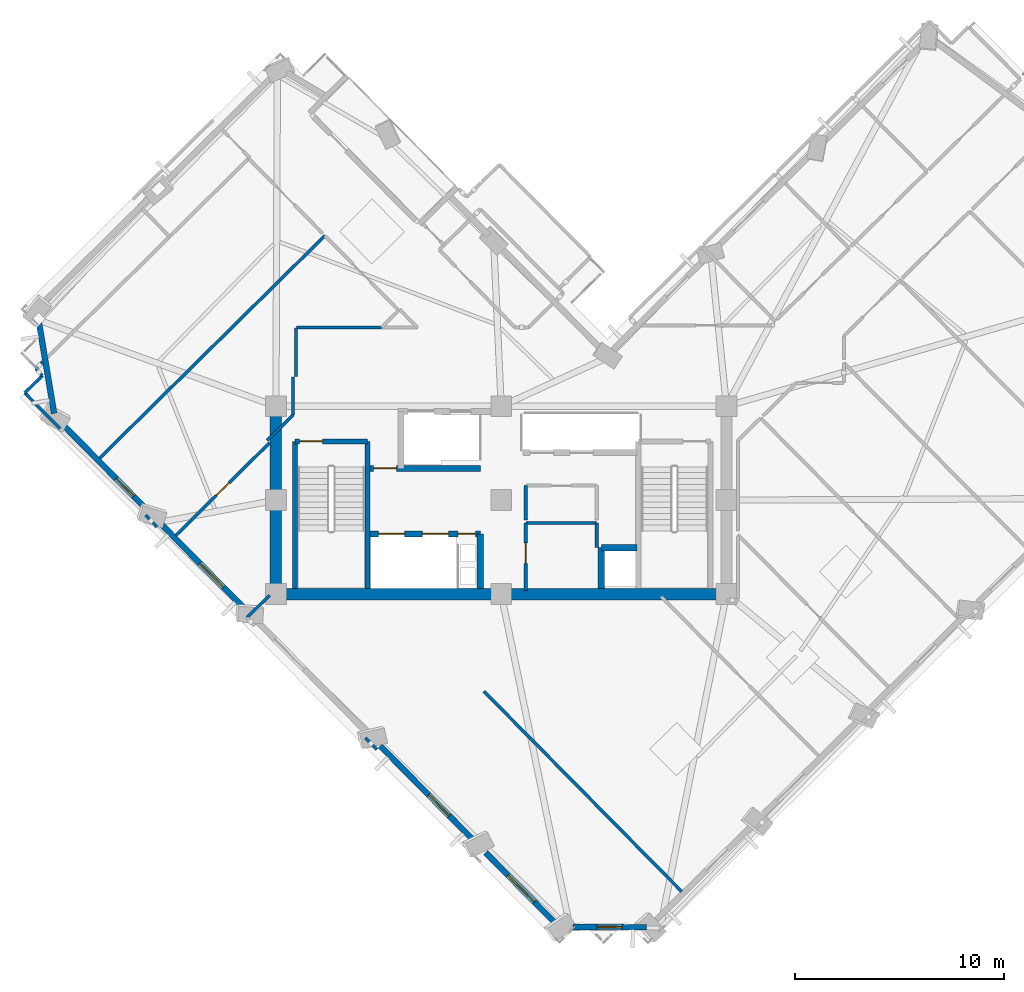
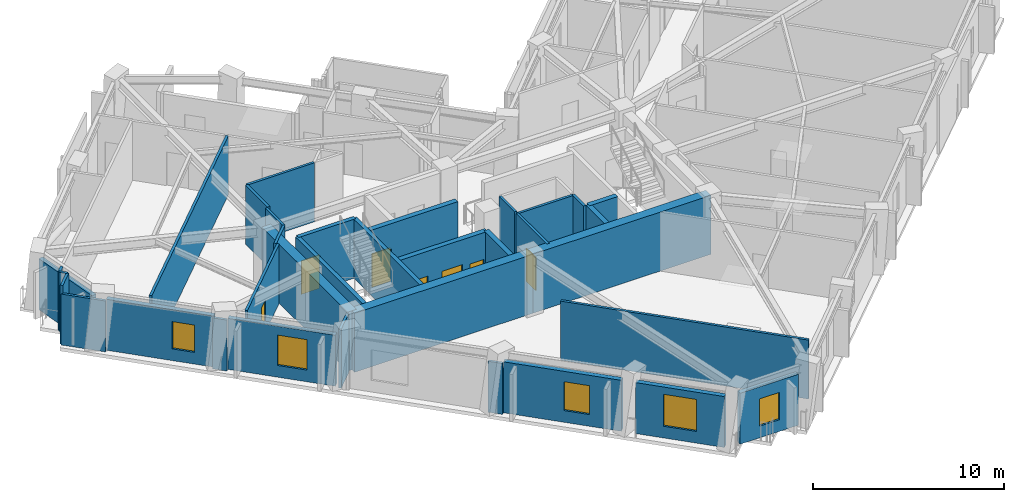
# One storey, part 4 of 11: 35 walls, 7 doors, 5 windows, 12 openings.
"""IFC4 building model written with IfcOpenShell, lengths in metres."""

from ifc_helpers import new_model, si_unit, direction, frame, frame_2d, origin, place, context, subcontext, project, spatial, rectangle, extrude, material, layer, layer_set, type_object, element, fill, save


model = new_model("IFC4")

# Units and contexts
model_context = context("Model", 3, precision=1e-05, world=origin(), true_north=direction((0.0, 1.0)))
body_context = subcontext(model_context, "Body", "Model", "MODEL_VIEW")
ifc_project = project(units=[si_unit("LENGTHUNIT", "METRE"), si_unit("AREAUNIT", "SQUARE_METRE"), si_unit("VOLUMEUNIT", "CUBIC_METRE"), si_unit("PLANEANGLEUNIT", "RADIAN"), si_unit("MASSUNIT", "GRAM", prefix="KILO")], contexts=[model_context])

# Site, building, storey
site_placement = place(None, origin())
site = spatial("IfcSite", under=ifc_project, at=site_placement, CompositionType="ELEMENT")
building_placement = place(site_placement, origin())
building = spatial("IfcBuilding", under=site, at=building_placement, Name="Gaonmaruhae Medical Tower", CompositionType="ELEMENT")
storey_placement = place(building_placement, frame((0.0, 0.0, 215.199951171875)))
storey = spatial("IfcBuildingStorey", under=building, at=storey_placement, Name="L51", CompositionType="ELEMENT", Elevation=215.199951171875)

# Walls
ifc_material_1 = material(Name="Concrete C50/60", Category="concrete")
ifc_layer_1 = layer(ifc_material_1, 0.550048828125)
ifc_layer_set_1 = layer_set([ifc_layer_1], Name="Concrete C50/60")
wall_type_1 = type_object("IfcWallType", Name="CW-550 Mid-High Core Shear Wall", PredefinedType="SHEAR", material=ifc_layer_set_1)
for number, where, z_axis, x_axis, name in (
    (1, (14.0, 7.800048828125, 0.0), (0.0, 0.0, 1.0), (1.0, 0.0, 0.0), "L51 Core Shear Wall CSW-S1"),
    (2, (24.800048828125, 7.800048828125, 0.0), (0.0, 0.0, 1.0), (1.0, 0.0, 0.0), "L51 Core Shear Wall CSW-S2"),
):
    element("IfcWall", number, at=place(storey_placement, frame(where, z_axis=z_axis, x_axis=x_axis)), inside=storey, type_object=wall_type_1, Name=name, PredefinedType="SHEAR", context=body_context, shape_type="SweptSolid", body=[
        extrude(rectangle(XDim=10.800048828125, YDim=0.550048828125, at=frame_2d((5.39990234375, 0.0))), origin(), (0.0, 0.0, 1.0), 3.780029296875),
    ])
wall_1_placement = place(storey_placement, frame((14.0, 16.800048828125, 0.0), z_axis=(0.0, 0.0, 1.0), x_axis=(0.0, -1.0, 0.0)))
element("IfcWall", 3, at=wall_1_placement, inside=storey, type_object=wall_type_1, Name="L51 Core Shear Wall CSW-W1", PredefinedType="SHEAR", context=body_context, shape_type="SweptSolid", body=[
    extrude(rectangle(XDim=9.0, YDim=0.550048828125, at=frame_2d((4.5, 0.0))), origin(), (0.0, 0.0, 1.0), 3.780029296875),
])
ifc_material_2 = material(Name="Precast concrete C45/55", Category="concrete")
ifc_layer_2 = layer(ifc_material_2, 0.280029296875)
ifc_layer_set_2 = layer_set([ifc_layer_2], Name="Precast concrete C45/55")
wall_type_2 = type_object("IfcWallType", Name="EW-280 Upper Precast Masonry-Frame Facade Wall", PredefinedType="SOLIDWALL", material=ifc_layer_set_2)
wall_2_placement = place(storey_placement, frame((3.366943359375, 16.45849609375, 0.0), z_axis=(0.0, 0.0, 1.0), x_axis=(-0.163887019376, 0.986479115278, 0.0)))
element("IfcWall", 4, at=wall_2_placement, inside=storey, type_object=wall_type_2, Name="L51 Precast Masonry-Frame Wall N03-W01", PredefinedType="SOLIDWALL", context=body_context, shape_type="SweptSolid", body=[
    extrude(rectangle(XDim=4.407958984375, YDim=0.280029296875, at=frame_2d((2.2041015625, 0.0))), origin(), (0.0, 0.0, 1.0), 3.26513671875),
])

# Wall, opening, window
wall_3_placement = place(storey_placement, frame((7.9130859375, 11.7431640625, 0.0), z_axis=(0.0, 0.0, 1.0), x_axis=(-0.702759613108, 0.711427386445, 0.0)))
wall_3 = element("IfcWall", 5, at=wall_3_placement, inside=storey, type_object=wall_type_2, Name="L51 Precast Masonry-Frame Wall W01-W02", PredefinedType="SOLIDWALL", context=body_context, shape_type="SweptSolid", body=[
    extrude(rectangle(XDim=5.83056640625, YDim=0.280029296875, at=frame_2d((2.915283203125, 0.0))), origin(), (0.0, 0.0, 1.0), 3.26513671875),
])
opening_1_placement = place(wall_3_placement, frame((1.0400390625, 0.0, 0.75)))
opening_1 = element("IfcOpeningElement", 6, at=opening_1_placement, cuts=wall_3, Name="Opening WN-05", PredefinedType="OPENING", context=body_context, shape_type="SweptSolid", body=[
    extrude(rectangle(XDim=1.199951171875, YDim=1.75, at=frame_2d((0.60009765625, 0.875))), frame((0.0, 0.14990234375, 0.0), z_axis=(0.0, -1.0, 0.0), x_axis=(1.0, 0.0, 0.0)), (0.0, 0.0, 1.0), 0.300048828125),
])
ifc_material_3 = material(Name="Anodised aluminium and Low-E double glazing", Category="aluminium")
window_type_1 = type_object("IfcWindowType", Name="WN-05 Support & Staff Punched Window 1200x1750", PartitioningType="SINGLE_PANEL", PredefinedType="WINDOW", material=ifc_material_3)
window_1_placement = place(opening_1_placement, origin())
window_1 = element("IfcWindow", 7, at=window_1_placement, inside=storey, type_object=window_type_1, Name="L51 Modular Facade Window W01", OverallHeight=1.75, OverallWidth=1.199951171875, PartitioningType="SINGLE_PANEL", PredefinedType="WINDOW", context=body_context, shape_type="SweptSolid", body=[
    extrude(rectangle(XDim=1.199951171875, YDim=1.75, at=frame_2d((0.60009765625, 0.875))), frame((0.0, 0.030029296875, 0.0), z_axis=(0.0, -1.0, 0.0), x_axis=(1.0, 0.0, 0.0)), (0.0, 0.0, 1.0), 0.06005859375),
])
fill(opening_1, window_1)

wall_4_placement = place(storey_placement, frame((12.58203125, 7.016845703125, 0.0), z_axis=(0.0, 0.0, 1.0), x_axis=(-0.702761134533, 0.711425883554, 0.0)))
wall_4 = element("IfcWall", 8, at=wall_4_placement, inside=storey, type_object=wall_type_2, Name="L51 Precast Masonry-Frame Wall W02-W03", PredefinedType="SOLIDWALL", context=body_context, shape_type="SweptSolid", body=[
    extrude(rectangle(XDim=5.860595703125, YDim=0.280029296875, at=frame_2d((2.93017578125, 0.0))), origin(), (0.0, 0.0, 1.0), 3.26513671875),
])
opening_2_placement = place(wall_4_placement, frame((1.560302734375, 0.0, 0.75)))
opening_2 = element("IfcOpeningElement", 9, at=opening_2_placement, cuts=wall_4, Name="Opening WN-01", PredefinedType="OPENING", context=body_context, shape_type="SweptSolid", body=[
    extrude(rectangle(XDim=1.60009765625, YDim=1.949951171875, at=frame_2d((0.800048828125, 0.97509765625))), frame((0.0, 0.14990234375, 0.0), z_axis=(0.0, -1.0, 0.0), x_axis=(1.0, 0.0, 0.0)), (0.0, 0.0, 1.0), 0.300048828125),
])
window_type_2 = type_object("IfcWindowType", Name="WN-01 Ward Punched Acoustic Window 1600x1950", PartitioningType="SINGLE_PANEL", PredefinedType="WINDOW", material=ifc_material_3)
window_2_placement = place(opening_2_placement, origin())
window_2 = element("IfcWindow", 10, at=window_2_placement, inside=storey, type_object=window_type_2, Name="L51 Modular Facade Window W02", OverallHeight=1.949951171875, OverallWidth=1.60009765625, PartitioningType="SINGLE_PANEL", PredefinedType="WINDOW", context=body_context, shape_type="SweptSolid", body=[
    extrude(rectangle(XDim=1.60009765625, YDim=1.949951171875, at=frame_2d((0.800048828125, 0.97509765625))), frame((0.0, 0.030029296875, 0.0), z_axis=(0.0, -1.0, 0.0), x_axis=(1.0, 0.0, 0.0)), (0.0, 0.0, 1.0), 0.06005859375),
])
fill(opening_2, window_2)

wall_5_placement = place(storey_placement, frame((23.521240234375, -4.056884765625, 0.0), z_axis=(0.0, 0.0, 1.0), x_axis=(-0.702761810191, 0.711425216124, 0.0)))
wall_5 = element("IfcWall", 11, at=wall_5_placement, inside=storey, type_object=wall_type_2, Name="L51 Precast Masonry-Frame Wall W04-W05", PredefinedType="SOLIDWALL", context=body_context, shape_type="SweptSolid", body=[
    extrude(rectangle(XDim=6.42529296875, YDim=0.280029296875, at=frame_2d((3.212646484375, 0.0))), origin(), (0.0, 0.0, 1.0), 3.26513671875),
])
opening_3_placement = place(wall_5_placement, frame((1.7275390625, 0.0, 0.75)))
opening_3 = element("IfcOpeningElement", 12, at=opening_3_placement, cuts=wall_5, Name="Opening WN-03", PredefinedType="OPENING", context=body_context, shape_type="SweptSolid", body=[
    extrude(rectangle(XDim=1.39990234375, YDim=1.85009765625, at=frame_2d((0.699951171875, 0.925048828125))), frame((0.0, 0.14990234375, 0.0), z_axis=(0.0, -1.0, 0.0), x_axis=(1.0, 0.0, 0.0)), (0.0, 0.0, 1.0), 0.300048828125),
])
window_type_3 = type_object("IfcWindowType", Name="WN-03 Isolation Ward Punched Window 1400x1850", PartitioningType="SINGLE_PANEL", PredefinedType="WINDOW", material=ifc_material_3)
window_3_placement = place(opening_3_placement, origin())
window_3 = element("IfcWindow", 13, at=window_3_placement, inside=storey, type_object=window_type_3, Name="L51 Modular Facade Window W04", OverallHeight=1.85009765625, OverallWidth=1.39990234375, PartitioningType="SINGLE_PANEL", PredefinedType="WINDOW", context=body_context, shape_type="SweptSolid", body=[
    extrude(rectangle(XDim=1.39990234375, YDim=1.85009765625, at=frame_2d((0.699951171875, 0.925048828125))), frame((0.0, 0.030029296875, 0.0), z_axis=(0.0, -1.0, 0.0), x_axis=(1.0, 0.0, 0.0)), (0.0, 0.0, 1.0), 0.06005859375),
])
fill(opening_3, window_3)

wall_6_placement = place(storey_placement, frame((27.468505859375, -8.052734375, 0.0), z_axis=(0.0, 0.0, 1.0), x_axis=(-0.702769443394, 0.711417675794, 0.0)))
wall_6 = element("IfcWall", 14, at=wall_6_placement, inside=storey, type_object=wall_type_2, Name="L51 Precast Masonry-Frame Wall W05-W06", PredefinedType="SOLIDWALL", context=body_context, shape_type="SweptSolid", body=[
    extrude(rectangle(XDim=4.85546875, YDim=0.280029296875, at=frame_2d((2.427734375, 0.0))), origin(), (0.0, 0.0, 1.0), 3.26513671875),
])
opening_4_placement = place(wall_6_placement, frame((1.53271484375, 0.0, 0.75)))
opening_4 = element("IfcOpeningElement", 15, at=opening_4_placement, cuts=wall_6, Name="Opening WN-04", PredefinedType="OPENING", context=body_context, shape_type="SweptSolid", body=[
    extrude(rectangle(XDim=1.800048828125, YDim=2.050048828125, at=frame_2d((0.89990234375, 1.02490234375))), frame((0.0, 0.14990234375, 0.0), z_axis=(0.0, -1.0, 0.0), x_axis=(1.0, 0.0, 0.0)), (0.0, 0.0, 1.0), 0.300048828125),
])
window_type_4 = type_object("IfcWindowType", Name="WN-04 Clinic & Consult Punched Window 1800x2050", PartitioningType="SINGLE_PANEL", PredefinedType="WINDOW", material=ifc_material_3)
window_4_placement = place(opening_4_placement, origin())
window_4 = element("IfcWindow", 16, at=window_4_placement, inside=storey, type_object=window_type_4, Name="L51 Modular Facade Window W05", OverallHeight=2.050048828125, OverallWidth=1.800048828125, PartitioningType="SINGLE_PANEL", PredefinedType="WINDOW", context=body_context, shape_type="SweptSolid", body=[
    extrude(rectangle(XDim=1.800048828125, YDim=2.050048828125, at=frame_2d((0.89990234375, 1.02490234375))), frame((0.0, 0.030029296875, 0.0), z_axis=(0.0, -1.0, 0.0), x_axis=(1.0, 0.0, 0.0)), (0.0, 0.0, 1.0), 0.06005859375),
])
fill(opening_4, window_4)

wall_7_placement = place(storey_placement, frame((31.75439453125, -8.17578125, 0.0), z_axis=(0.0, 0.0, 1.0), x_axis=(-0.999981382024, 0.006102098441, 0.0)))
wall_7 = element("IfcWall", 17, at=wall_7_placement, inside=storey, type_object=wall_type_2, Name="L51 Precast Masonry-Frame Wall W06-S01", PredefinedType="SOLIDWALL", context=body_context, shape_type="SweptSolid", body=[
    extrude(rectangle(XDim=3.520751953125, YDim=0.280029296875, at=frame_2d((1.76025390625, 0.0))), origin(), (0.0, 0.0, 1.0), 3.26513671875),
])
opening_5_placement = place(wall_7_placement, frame((1.15966796875, 0.0, 0.75)))
opening_5 = element("IfcOpeningElement", 18, at=opening_5_placement, cuts=wall_7, Name="Opening WN-05", PredefinedType="OPENING", context=body_context, shape_type="SweptSolid", body=[
    extrude(rectangle(XDim=1.199951171875, YDim=1.75, at=frame_2d((0.60009765625, 0.875))), frame((0.0, 0.14990234375, 0.0), z_axis=(0.0, -1.0, 0.0), x_axis=(1.0, 0.0, 0.0)), (0.0, 0.0, 1.0), 0.300048828125),
])
window_5_placement = place(opening_5_placement, origin())
window_5 = element("IfcWindow", 19, at=window_5_placement, inside=storey, type_object=window_type_1, Name="L51 Modular Facade Window W06", OverallHeight=1.75, OverallWidth=1.199951171875, PartitioningType="SINGLE_PANEL", PredefinedType="WINDOW", context=body_context, shape_type="SweptSolid", body=[
    extrude(rectangle(XDim=1.199951171875, YDim=1.75, at=frame_2d((0.60009765625, 0.875))), frame((0.0, 0.030029296875, 0.0), z_axis=(0.0, -1.0, 0.0), x_axis=(1.0, 0.0, 0.0)), (0.0, 0.0, 1.0), 0.06005859375),
])
fill(opening_5, window_5)

# Wall, opening, door
ifc_material_4 = material(Name="Gypsum board partition", Category="gypsum")
ifc_layer_3 = layer(ifc_material_4, 0.14990234375)
ifc_layer_set_3 = layer_set([ifc_layer_3], Name="Gypsum board partition")
wall_type_3 = type_object("IfcWallType", Name="PW-150 Rated Clinical Corridor Partition", PredefinedType="PARTITIONING", material=ifc_layer_set_3)
wall_8_placement = place(storey_placement, frame((25.97998046875, 7.9599609375, 0.0), z_axis=(0.0, 0.0, 1.0), x_axis=(0.0, 1.0, 0.0)))
wall_8 = element("IfcWall", 20, at=wall_8_placement, inside=storey, type_object=wall_type_3, Name="L51 Interior Partition L51-RCL1-1", PredefinedType="PARTITIONING", context=body_context, shape_type="SweptSolid", body=[
    extrude(rectangle(XDim=3.239990234375, YDim=0.14990234375, at=frame_2d((1.6201171875, 0.0))), origin(), (0.0, 0.0, 1.0), 3.780029296875),
])
opening_6_placement = place(wall_8_placement, frame((1.294921875, 0.0, 0.0)))
opening_6 = element("IfcOpeningElement", 21, at=opening_6_placement, cuts=wall_8, Name="Opening CD-01", PredefinedType="OPENING", context=body_context, shape_type="SweptSolid", body=[
    extrude(rectangle(XDim=1.0, YDim=2.1201171875, at=frame_2d((0.5, 1.06005859375))), frame((0.0, 0.0849609375, 0.0), z_axis=(0.0, -1.0, 0.0), x_axis=(1.0, 0.0, 0.0)), (0.0, 0.0, 1.0), 0.169921875),
])
ifc_material_5 = material(Name="Antimicrobial laminate timber fire door", Category="wood")
door_type_1 = type_object("IfcDoorType", Name="CD-01 Consultation & Physician Office Door 1000x2120", OperationType="NOTDEFINED", PredefinedType="DOOR", material=ifc_material_5)
door_1_placement = place(opening_6_placement, origin())
door_1 = element("IfcDoor", 22, at=door_1_placement, inside=storey, type_object=door_type_1, Name="L51 Clinical Telemetry and Medication Room Door", OperationType="SINGLE_SWING_RIGHT", OverallHeight=2.1201171875, OverallWidth=1.0, PredefinedType="DOOR", context=body_context, shape_type="SweptSolid", body=[
    extrude(rectangle(XDim=1.0, YDim=2.1201171875, at=frame_2d((0.5, 1.06005859375))), frame((0.0, 0.02490234375, 0.0), z_axis=(0.0, -1.0, 0.0), x_axis=(1.0, 0.0, 0.0)), (0.0, 0.0, 1.0), 0.050048828125),
])
fill(opening_6, door_1)

# Walls
wall_9_placement = place(storey_placement, frame((25.97998046875, 11.199951171875, 0.0), z_axis=(0.0, 0.0, 1.0), x_axis=(1.0, 0.0, 0.0)))
element("IfcWall", 23, at=wall_9_placement, inside=storey, type_object=wall_type_3, Name="L51 Interior Partition L51-RCL1-2", PredefinedType="PARTITIONING", context=body_context, shape_type="SweptSolid", body=[
    extrude(rectangle(XDim=3.39990234375, YDim=0.14990234375, at=frame_2d((1.699951171875, 0.0))), origin(), (0.0, 0.0, 1.0), 3.780029296875),
])
wall_10_placement = place(storey_placement, frame((29.3798828125, 11.199951171875, 0.0), z_axis=(0.0, 0.0, 1.0), x_axis=(0.0, -1.0, 0.0)))
element("IfcWall", 24, at=wall_10_placement, inside=storey, type_object=wall_type_3, Name="L51 Interior Partition L51-RCL1-3", PredefinedType="PARTITIONING", context=body_context, shape_type="SweptSolid", body=[
    extrude(rectangle(XDim=1.179931640625, YDim=0.14990234375, at=frame_2d((0.58984375, 0.0))), origin(), (0.0, 0.0, 1.0), 3.780029296875),
])
wall_11_placement = place(storey_placement, frame((25.97998046875, 11.360107421875, 0.0), z_axis=(0.0, 0.0, 1.0), x_axis=(0.0, 1.0, 0.0)))
element("IfcWall", 25, at=wall_11_placement, inside=storey, type_object=wall_type_3, Name="L51 Interior Partition L51-CS1-4", PredefinedType="PARTITIONING", context=body_context, shape_type="SweptSolid", body=[
    extrude(rectangle(XDim=1.639892578125, YDim=0.14990234375, at=frame_2d((0.81982421875, 0.0))), origin(), (0.0, 0.0, 1.0), 3.780029296875),
])
wall_12_placement = place(storey_placement, frame((33.451904296875, -6.4609375, 0.0), z_axis=(0.0, 0.0, 1.0), x_axis=(-0.702748437793, 0.711438425431, 0.0)))
element("IfcWall", 26, at=wall_12_placement, inside=storey, type_object=wall_type_3, Name="L51 Interior Partition L51-SUP02-9", PredefinedType="PARTITIONING", context=body_context, shape_type="SweptSolid", body=[
    extrude(rectangle(XDim=13.4853515625, YDim=0.14990234375, at=frame_2d((6.74267578125, 0.0))), origin(), (0.0, 0.0, 1.0), 3.780029296875),
])
wall_13_placement = place(storey_placement, frame((18.842041015625, 0.35205078125, 0.0), z_axis=(0.0, 0.0, 1.0), x_axis=(-0.703222093528, 0.710970243523, 0.0)))
element("IfcWall", 27, at=wall_13_placement, inside=storey, type_object=wall_type_3, Name="L51 Interior Partition L51-WOF10-37", PredefinedType="PARTITIONING", context=body_context, shape_type="SweptSolid", body=[
    extrude(rectangle(XDim=0.787841796875, YDim=0.14990234375, at=frame_2d((0.39404296875, 0.0))), origin(), (0.0, 0.0, 1.0), 3.26513671875),
])
wall_14_placement = place(storey_placement, frame((12.60791015625, 6.6630859375, 0.0), z_axis=(0.0, 0.0, 1.0), x_axis=(0.711387834121, 0.702799651013, 0.0)))
element("IfcWall", 28, at=wall_14_placement, inside=storey, type_object=wall_type_3, Name="L51 Interior Partition L51-WOF11-41", PredefinedType="PARTITIONING", context=body_context, shape_type="SweptSolid", body=[
    extrude(rectangle(XDim=1.53515625, YDim=0.14990234375, at=frame_2d((0.767578125, 0.0))), origin(), (0.0, 0.0, 1.0), 3.780029296875),
])

# Wall, opening, door
wall_15_placement = place(storey_placement, frame((9.198974609375, 10.60498046875, 0.0), z_axis=(0.0, 0.0, 1.0), x_axis=(0.71135759635, 0.702830256971, 0.0)))
wall_15 = element("IfcWall", 29, at=wall_15_placement, inside=storey, type_object=wall_type_3, Name="L51 Interior Partition L51-WOF12-42", PredefinedType="PARTITIONING", context=body_context, shape_type="SweptSolid", body=[
    extrude(rectangle(XDim=6.327392578125, YDim=0.14990234375, at=frame_2d((3.16357421875, 0.0))), origin(), (0.0, 0.0, 1.0), 3.780029296875),
])
opening_7_placement = place(wall_15_placement, frame((2.733642578125, 0.0, 0.0)))
opening_7 = element("IfcOpeningElement", 30, at=opening_7_placement, cuts=wall_15, Name="Opening AD-01", PredefinedType="OPENING", context=body_context, shape_type="SweptSolid", body=[
    extrude(rectangle(XDim=0.860107421875, YDim=2.06005859375, at=frame_2d((0.43017578125, 1.030029296875))), frame((0.0, 0.0849609375, 0.0), z_axis=(0.0, -1.0, 0.0), x_axis=(1.0, 0.0, 0.0)), (0.0, 0.0, 1.0), 0.169921875),
])
ifc_material_6 = material(Name="Powder-coated steel access door", Category="steel")
door_type_2 = type_object("IfcDoorType", Name="AD-01 Riser & Closet Access Fire Door 860x2060", OperationType="NOTDEFINED", PredefinedType="DOOR", material=ifc_material_6)
door_2_placement = place(opening_7_placement, origin())
door_2 = element("IfcDoor", 31, at=door_2_placement, inside=storey, type_object=door_type_2, Name="L51 Ward Physician Reporting Office Sliding Door", OperationType="SLIDING_TO_LEFT", OverallHeight=2.06005859375, OverallWidth=0.860107421875, PredefinedType="DOOR", context=body_context, shape_type="SweptSolid", body=[
    extrude(rectangle(XDim=0.860107421875, YDim=2.06005859375, at=frame_2d((0.43017578125, 1.030029296875))), frame((0.0, 0.02490234375, 0.0), z_axis=(0.0, -1.0, 0.0), x_axis=(1.0, 0.0, 0.0)), (0.0, 0.0, 1.0), 0.050048828125),
])
fill(opening_7, door_2)

# Walls
wall_16_placement = place(storey_placement, frame((14.969970703125, 20.550048828125, 0.0), z_axis=(0.0, 0.0, 1.0), x_axis=(0.0, -1.0, 0.0)))
element("IfcWall", 32, at=wall_16_placement, inside=storey, type_object=wall_type_3, Name="L51 Interior Partition L51-WOF13-43", PredefinedType="PARTITIONING", context=body_context, shape_type="SweptSolid", body=[
    extrude(rectangle(XDim=2.320068359375, YDim=0.14990234375, at=frame_2d((1.16015625, 0.0))), origin(), (0.0, 0.0, 1.0), 3.780029296875),
])
wall_17_placement = place(storey_placement, frame((14.820068359375, 18.199951171875, 0.0), z_axis=(0.0, 0.0, 1.0), x_axis=(0.0, -1.0, 0.0)))
element("IfcWall", 33, at=wall_17_placement, inside=storey, type_object=wall_type_3, Name="L51 Interior Partition L51-WOF13-44", PredefinedType="PARTITIONING", context=body_context, shape_type="SweptSolid", body=[
    extrude(rectangle(XDim=1.81689453125, YDim=0.14990234375, at=frame_2d((0.908447265625, 0.0))), origin(), (0.0, 0.0, 1.0), 3.780029296875),
])
wall_18_placement = place(storey_placement, frame((14.820068359375, 16.383056640625, 0.0), z_axis=(0.0, 0.0, 1.0), x_axis=(-0.711463271884, -0.702723283206, 0.0)))
element("IfcWall", 34, at=wall_18_placement, inside=storey, type_object=wall_type_3, Name="L51 Interior Partition L51-WOF13-45", PredefinedType="PARTITIONING", context=body_context, shape_type="SweptSolid", body=[
    extrude(rectangle(XDim=1.73193359375, YDim=0.14990234375, at=frame_2d((0.865966796875, 0.0))), origin(), (0.0, 0.0, 1.0), 3.780029296875),
])
wall_19_placement = place(storey_placement, frame((8.299072265625, 11.02392578125, 0.0), z_axis=(0.0, 0.0, 1.0), x_axis=(-0.702570675203, 0.711613972842, 0.0)))
element("IfcWall", 35, at=wall_19_placement, inside=storey, type_object=wall_type_3, Name="L51 Interior Partition L51-WOF13-46", PredefinedType="PARTITIONING", context=body_context, shape_type="SweptSolid", body=[
    extrude(rectangle(XDim=0.782958984375, YDim=0.14990234375, at=frame_2d((0.3916015625, 0.0))), origin(), (0.0, 0.0, 1.0), 3.26513671875),
])
wall_20_placement = place(storey_placement, frame((5.5439453125, 14.304931640625, 0.0), z_axis=(0.0, 0.0, 1.0), x_axis=(0.711434510245, 0.702752401371, 0.0)))
element("IfcWall", 36, at=wall_20_placement, inside=storey, type_object=wall_type_3, Name="L51 Interior Partition L51-WOF13-47", PredefinedType="PARTITIONING", context=body_context, shape_type="SweptSolid", body=[
    extrude(rectangle(XDim=15.184814453125, YDim=0.14990234375, at=frame_2d((7.59228515625, 0.0))), origin(), (0.0, 0.0, 1.0), 3.780029296875),
])
wall_21_placement = place(storey_placement, frame((19.069091796875, 20.580078125, 0.0), z_axis=(0.0, 0.0, 1.0), x_axis=(-1.0, 0.0, 0.0)))
element("IfcWall", 37, at=wall_21_placement, inside=storey, type_object=wall_type_3, Name="L51 Interior Partition L51-WOF13-50", PredefinedType="PARTITIONING", context=body_context, shape_type="SweptSolid", body=[
    extrude(rectangle(XDim=4.072021484375, YDim=0.14990234375, at=frame_2d((2.0361328125, 0.0))), origin(), (0.0, 0.0, 1.0), 3.780029296875),
])
wall_22_placement = place(storey_placement, frame((2.48388671875, 18.591064453125, 0.0), z_axis=(0.0, 0.0, 1.0), x_axis=(0.711263966772, 0.70292500992, 0.0)))
element("IfcWall", 38, at=wall_22_placement, inside=storey, type_object=wall_type_3, Name="L51 Interior Partition L51-WOF14-51", PredefinedType="PARTITIONING", context=body_context, shape_type="SweptSolid", body=[
    extrude(rectangle(XDim=0.497802734375, YDim=0.14990234375, at=frame_2d((0.2490234375, 0.0))), origin(), (0.0, 0.0, 1.0), 3.780029296875),
])
wall_23_placement = place(storey_placement, frame((3.652099609375, 15.72900390625, 0.0), z_axis=(0.0, 0.0, 1.0), x_axis=(-0.702781778597, 0.711405490331, 0.0)))
element("IfcWall", 39, at=wall_23_placement, inside=storey, type_object=wall_type_3, Name="L51 Interior Partition L51-WOF14-54", PredefinedType="PARTITIONING", context=body_context, shape_type="SweptSolid", body=[
    extrude(rectangle(XDim=2.406494140625, YDim=0.14990234375, at=frame_2d((1.203125, 0.0))), origin(), (0.0, 0.0, 1.0), 3.26513671875),
])
wall_24_placement = place(storey_placement, frame((1.9609375, 17.44091796875, 0.0), z_axis=(0.0, 0.0, 1.0), x_axis=(0.71092304211, 0.703269811805, 0.0)))
element("IfcWall", 40, at=wall_24_placement, inside=storey, type_object=wall_type_3, Name="L51 Interior Partition L51-WOF14-55", PredefinedType="PARTITIONING", context=body_context, shape_type="SweptSolid", body=[
    extrude(rectangle(XDim=1.180419921875, YDim=0.14990234375, at=frame_2d((0.59033203125, 0.0))), origin(), (0.0, 0.0, 1.0), 3.780029296875),
])
wall_25_placement = place(storey_placement, frame((2.800048828125, 18.27099609375, 0.0), z_axis=(0.0, 0.0, 1.0), x_axis=(-0.702752128253, 0.71143478003, 0.0)))
element("IfcWall", 41, at=wall_25_placement, inside=storey, type_object=wall_type_3, Name="L51 Interior Partition L51-WOF14-56", PredefinedType="PARTITIONING", context=body_context, shape_type="SweptSolid", body=[
    extrude(rectangle(XDim=0.449951171875, YDim=0.14990234375, at=frame_2d((0.22509765625, 0.0))), origin(), (0.0, 0.0, 1.0), 3.780029296875),
])

# Wall, opening, door
ifc_layer_4 = layer(ifc_material_1, 0.239990234375)
ifc_layer_set_4 = layer_set([ifc_layer_4], Name="Concrete C50/60")
wall_type_4 = type_object("IfcWallType", Name="SW-240 Dogleg Stair Tight Shaft Wall", PredefinedType="SOLIDWALL", material=ifc_layer_set_4)
wall_26_placement = place(storey_placement, frame((14.919921875, 15.1201171875, 0.0), z_axis=(0.0, 0.0, 1.0), x_axis=(1.0, 0.0, 0.0)))
wall_26 = element("IfcWall", 42, at=wall_26_placement, inside=storey, type_object=wall_type_4, Name="L51 ST-01 Stair Shaft Wall SHW-ST-01-N", PredefinedType="SOLIDWALL", context=body_context, shape_type="SweptSolid", body=[
    extrude(rectangle(XDim=3.4599609375, YDim=0.239990234375, at=frame_2d((1.72998046875, 0.0))), origin(), (0.0, 0.0, 1.0), 3.780029296875),
])
opening_8_placement = place(wall_26_placement, frame((0.219970703125, 0.0, 0.0)))
opening_8 = element("IfcOpeningElement", 43, at=opening_8_placement, cuts=wall_26, Name="Opening FD-01", PredefinedType="OPENING", context=body_context, shape_type="SweptSolid", body=[
    extrude(rectangle(XDim=1.10009765625, YDim=2.14990234375, at=frame_2d((0.550048828125, 1.074951171875))), frame((0.0, 0.1298828125, 0.0), z_axis=(0.0, -1.0, 0.0), x_axis=(1.0, 0.0, 0.0)), (0.0, 0.0, 1.0), 0.260009765625),
])
ifc_material_7 = material(Name="Powder-coated steel fire door", Category="steel")
door_type_3 = type_object("IfcDoorType", Name="FD-01 Escape Stair Protected Fire Door 1100x2150", OperationType="NOTDEFINED", PredefinedType="DOOR", material=ifc_material_7)
door_3_placement = place(opening_8_placement, origin())
door_3 = element("IfcDoor", 44, at=door_3_placement, inside=storey, type_object=door_type_3, Name="L51 ST-01 Protected Escape Stair Door", OperationType="SINGLE_SWING_RIGHT", OverallHeight=2.14990234375, OverallWidth=1.10009765625, PredefinedType="DOOR", context=body_context, shape_type="SweptSolid", body=[
    extrude(rectangle(XDim=1.10009765625, YDim=2.14990234375, at=frame_2d((0.550048828125, 1.074951171875))), frame((0.0, 0.02490234375, 0.0), z_axis=(0.0, -1.0, 0.0), x_axis=(1.0, 0.0, 0.0)), (0.0, 0.0, 1.0), 0.050048828125),
])
fill(opening_8, door_3)

# Walls
for number, where, z_axis, x_axis, name in (
    (45, (18.3798828125, 15.1201171875, 0.0), (0.0, 0.0, 1.0), (0.0, -1.0, 0.0), "L51 ST-01 Stair Shaft Wall SHW-ST-01-E"),
    (46, (14.919921875, 8.074951171875, 0.0), (0.0, 0.0, 1.0), (0.0, 1.0, 0.0), "L51 ST-01 Stair Shaft Wall SHW-ST-01-W"),
):
    element("IfcWall", number, at=place(storey_placement, frame(where, z_axis=z_axis, x_axis=x_axis)), inside=storey, type_object=wall_type_4, Name=name, PredefinedType="SOLIDWALL", context=body_context, shape_type="SweptSolid", body=[
        extrude(rectangle(XDim=7.045166015625, YDim=0.239990234375, at=frame_2d((3.5224609375, 0.0))), origin(), (0.0, 0.0, 1.0), 3.780029296875),
    ])

# Wall, openings, doors
ifc_layer_5 = layer(ifc_material_1, 0.300048828125)
ifc_layer_set_5 = layer_set([ifc_layer_5], Name="Concrete C50/60")
wall_type_5 = type_object("IfcWallType", Name="SW-300 Stair & Lift Hoistway Shaft Wall", PredefinedType="SOLIDWALL", material=ifc_layer_set_5)
wall_27_placement = place(storey_placement, frame((18.5, 10.679931640625, 0.0), z_axis=(0.0, 0.0, 1.0), x_axis=(1.0, 0.0, 0.0)))
wall_27 = element("IfcWall", 47, at=wall_27_placement, inside=storey, type_object=wall_type_5, Name="L51 Shaft Enclosure Wall SHW-FFN", PredefinedType="SOLIDWALL", context=body_context, shape_type="SweptSolid", body=[
    extrude(rectangle(XDim=5.300048828125, YDim=0.300048828125, at=frame_2d((2.64990234375, 0.0))), origin(), (0.0, 0.0, 1.0), 3.780029296875),
])
opening_9_placement = place(wall_27_placement, frame((4.219970703125, 0.0, 0.0)))
opening_9 = element("IfcOpeningElement", 48, at=opening_9_placement, cuts=wall_27, Name="Opening AD-01", PredefinedType="OPENING", context=body_context, shape_type="SweptSolid", body=[
    extrude(rectangle(XDim=0.860107421875, YDim=2.06005859375, at=frame_2d((0.43017578125, 1.030029296875))), frame((0.0, 0.16015625, 0.0), z_axis=(0.0, -1.0, 0.0), x_axis=(1.0, 0.0, 0.0)), (0.0, 0.0, 1.0), 0.320068359375),
])
opening_10_placement = place(wall_27_placement, frame((0.425048828125, 0.0, 0.0)))
opening_10 = element("IfcOpeningElement", 49, at=opening_10_placement, cuts=wall_27, Name="Opening LD-F1", PredefinedType="OPENING", context=body_context, shape_type="SweptSolid", body=[
    extrude(rectangle(XDim=1.25, YDim=2.179931640625, at=frame_2d((0.625, 1.08984375))), frame((0.0, 0.16015625, 0.0), z_axis=(0.0, -1.0, 0.0), x_axis=(1.0, 0.0, 0.0)), (0.0, 0.0, 1.0), 0.320068359375),
])
opening_11_placement = place(wall_27_placement, frame((2.52490234375, 0.0, 0.0)))
opening_11 = element("IfcOpeningElement", 50, at=opening_11_placement, cuts=wall_27, Name="Opening LD-F1", PredefinedType="OPENING", context=body_context, shape_type="SweptSolid", body=[
    extrude(rectangle(XDim=1.25, YDim=2.179931640625, at=frame_2d((0.625, 1.08984375))), frame((0.0, 0.16015625, 0.0), z_axis=(0.0, -1.0, 0.0), x_axis=(1.0, 0.0, 0.0)), (0.0, 0.0, 1.0), 0.320068359375),
])
door_4_placement = place(opening_9_placement, origin())
door_4 = element("IfcDoor", 51, at=door_4_placement, inside=storey, type_object=door_type_2, Name="L51 Medical Gas and MEP Riser Access Door", OperationType="SINGLE_SWING_RIGHT", OverallHeight=2.06005859375, OverallWidth=0.860107421875, PredefinedType="DOOR", context=body_context, shape_type="SweptSolid", body=[
    extrude(rectangle(XDim=0.860107421875, YDim=2.06005859375, at=frame_2d((0.43017578125, 1.030029296875))), frame((0.0, 0.02490234375, 0.0), z_axis=(0.0, -1.0, 0.0), x_axis=(1.0, 0.0, 0.0)), (0.0, 0.0, 1.0), 0.050048828125),
])
fill(opening_9, door_4)
ifc_material_8 = material(Name="Brushed stainless steel 316L landing door", Category="steel")
door_type_4 = type_object("IfcDoorType", Name="LD-F1 Firefighting & Bed Lift Sliding Landing Door 1250x2180", OperationType="NOTDEFINED", PredefinedType="DOOR", material=ifc_material_8)
door_5_placement = place(opening_10_placement, origin())
door_5 = element("IfcDoor", 52, at=door_5_placement, inside=storey, type_object=door_type_4, Name="L51 Firefighting Lift Landing Door FFL-01", OperationType="DOUBLE_DOOR_SLIDING", OverallHeight=2.179931640625, OverallWidth=1.25, PredefinedType="DOOR", context=body_context, shape_type="SweptSolid", body=[
    extrude(rectangle(XDim=1.25, YDim=2.179931640625, at=frame_2d((0.625, 1.08984375))), frame((0.0, 0.02490234375, 0.0), z_axis=(0.0, -1.0, 0.0), x_axis=(1.0, 0.0, 0.0)), (0.0, 0.0, 1.0), 0.050048828125),
])
fill(opening_10, door_5)
door_6_placement = place(opening_11_placement, origin())
door_6 = element("IfcDoor", 53, at=door_6_placement, inside=storey, type_object=door_type_4, Name="L51 Firefighting Lift Landing Door FFL-02", OperationType="DOUBLE_DOOR_SLIDING", OverallHeight=2.179931640625, OverallWidth=1.25, PredefinedType="DOOR", context=body_context, shape_type="SweptSolid", body=[
    extrude(rectangle(XDim=1.25, YDim=2.179931640625, at=frame_2d((0.625, 1.08984375))), frame((0.0, 0.02490234375, 0.0), z_axis=(0.0, -1.0, 0.0), x_axis=(1.0, 0.0, 0.0)), (0.0, 0.0, 1.0), 0.050048828125),
])
fill(opening_11, door_6)

# Wall, opening, door
wall_28_placement = place(storey_placement, frame((18.5, 13.820068359375, 0.0), z_axis=(0.0, 0.0, 1.0), x_axis=(1.0, 0.0, 0.0)))
wall_28 = element("IfcWall", 54, at=wall_28_placement, inside=storey, type_object=wall_type_5, Name="L51 Shaft Enclosure Wall SHW-FFL", PredefinedType="SOLIDWALL", context=body_context, shape_type="SweptSolid", body=[
    extrude(rectangle(XDim=5.300048828125, YDim=0.300048828125, at=frame_2d((2.64990234375, 0.0))), origin(), (0.0, 0.0, 1.0), 3.780029296875),
])
opening_12_placement = place(wall_28_placement, frame((0.179931640625, 0.0, 0.0)))
opening_12 = element("IfcOpeningElement", 55, at=opening_12_placement, cuts=wall_28, Name="Opening FD-01", PredefinedType="OPENING", context=body_context, shape_type="SweptSolid", body=[
    extrude(rectangle(XDim=1.10009765625, YDim=2.14990234375, at=frame_2d((0.550048828125, 1.074951171875))), frame((0.0, 0.16015625, 0.0), z_axis=(0.0, -1.0, 0.0), x_axis=(1.0, 0.0, 0.0)), (0.0, 0.0, 1.0), 0.320068359375),
])
door_7_placement = place(opening_12_placement, origin())
door_7 = element("IfcDoor", 56, at=door_7_placement, inside=storey, type_object=door_type_3, Name="L51 Firefighting Lobby Smoke Door", OperationType="SINGLE_SWING_LEFT", OverallHeight=2.14990234375, OverallWidth=1.10009765625, PredefinedType="DOOR", context=body_context, shape_type="SweptSolid", body=[
    extrude(rectangle(XDim=1.10009765625, YDim=2.14990234375, at=frame_2d((0.550048828125, 1.074951171875))), frame((0.0, 0.02490234375, 0.0), z_axis=(0.0, -1.0, 0.0), x_axis=(1.0, 0.0, 0.0)), (0.0, 0.0, 1.0), 0.050048828125),
])
fill(opening_12, door_7)

# Walls
wall_29_placement = place(storey_placement, frame((23.800048828125, 8.074951171875, 0.0), z_axis=(0.0, 0.0, 1.0), x_axis=(0.0, 1.0, 0.0)))
element("IfcWall", 57, at=wall_29_placement, inside=storey, type_object=wall_type_5, Name="L51 Shaft Enclosure Wall SHW-FFE", PredefinedType="SOLIDWALL", context=body_context, shape_type="SweptSolid", body=[
    extrude(rectangle(XDim=2.60498046875, YDim=0.300048828125, at=frame_2d((1.302490234375, 0.0))), origin(), (0.0, 0.0, 1.0), 3.780029296875),
])
wall_30_placement = place(storey_placement, frame((29.60009765625, 10.02001953125, 0.0), z_axis=(0.0, 0.0, 1.0), x_axis=(1.0, 0.0, 0.0)))
element("IfcWall", 58, at=wall_30_placement, inside=storey, type_object=wall_type_5, Name="L51 Shaft Enclosure Wall SHW-PLS", PredefinedType="SOLIDWALL", context=body_context, shape_type="SweptSolid", body=[
    extrude(rectangle(XDim=1.699951171875, YDim=0.300048828125, at=frame_2d((0.85009765625, 0.0))), origin(), (0.0, 0.0, 1.0), 3.780029296875),
])
wall_31_placement = place(storey_placement, frame((29.60009765625, 8.074951171875, 0.0), z_axis=(0.0, 0.0, 1.0), x_axis=(0.0, 1.0, 0.0)))
element("IfcWall", 59, at=wall_31_placement, inside=storey, type_object=wall_type_5, Name="L51 Shaft Enclosure Wall SHW-PLD1", PredefinedType="SOLIDWALL", context=body_context, shape_type="SweptSolid", body=[
    extrude(rectangle(XDim=1.945068359375, YDim=0.300048828125, at=frame_2d((0.97265625, 0.0))), origin(), (0.0, 0.0, 1.0), 3.780029296875),
])

save(model, "model.ifc")
